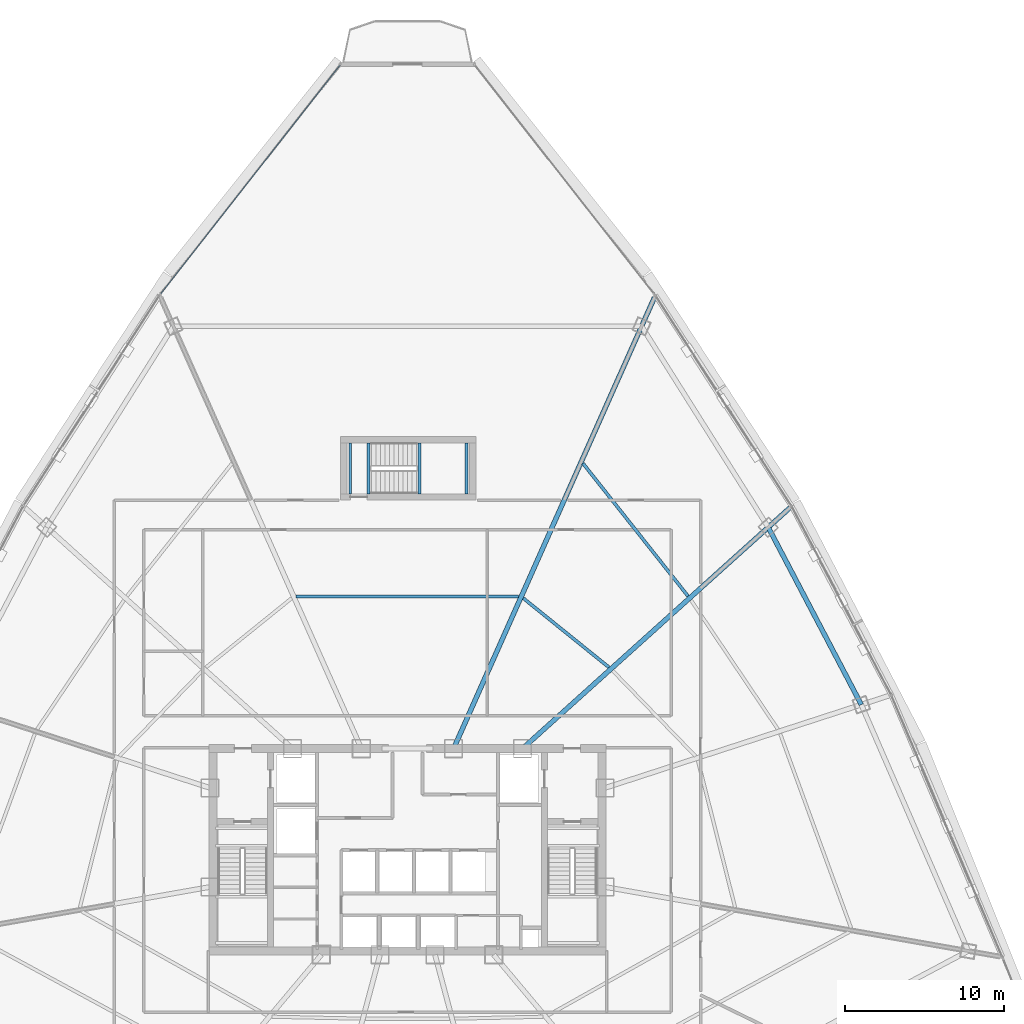
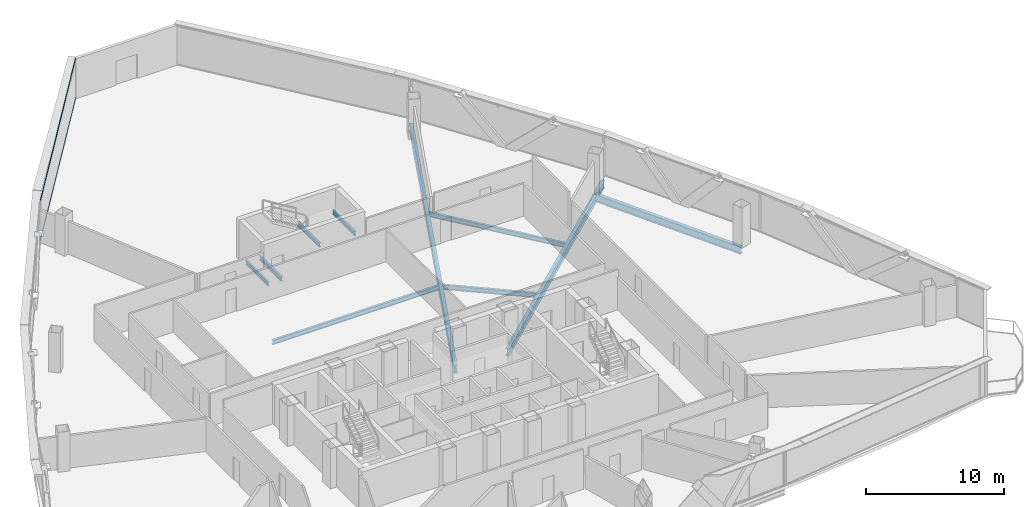
# One storey, part 19 of 37: 10 beams, 2 members, 1 element without a shape of its own.
"""IFC4 building model written with IfcOpenShell, lengths in metres."""

from ifc_helpers import new_model, si_unit, direction, frame, origin, origin_2d, place, context, subcontext, project, spatial, hollow_rectangle, i_section, extrude, source, transform, mapped, material, layer, layer_set, material_profile, profile_set, type_object, element, aggregate, save


model = new_model("IFC4")

# Units and contexts
model_context = context("Model", 3, precision=1e-05, world=origin(), true_north=direction((0.0, 1.0)))
body_context = subcontext(model_context, "Body", "Model", "MODEL_VIEW")
ifc_project = project(units=[si_unit("LENGTHUNIT", "METRE"), si_unit("AREAUNIT", "SQUARE_METRE"), si_unit("VOLUMEUNIT", "CUBIC_METRE"), si_unit("PLANEANGLEUNIT", "RADIAN"), si_unit("MASSUNIT", "GRAM", prefix="KILO"), si_unit("THERMODYNAMICTEMPERATUREUNIT", "KELVIN"), si_unit("POWERUNIT", "WATT")], contexts=[model_context])

# Site, building, storey
site_placement = place(None, origin())
site = spatial("IfcSite", under=ifc_project, at=site_placement, CompositionType="ELEMENT")
building_placement = place(site_placement, origin())
building = spatial("IfcBuilding", under=site, at=building_placement, Name="Yunzhuo Pagoda Commons", CompositionType="ELEMENT")
storey_placement = place(building_placement, frame((0.0, 0.0, 199.9599609375)))
storey = spatial("IfcBuildingStorey", under=building, at=storey_placement, Name="L50", CompositionType="ELEMENT", Elevation=199.9599609375)

# Beams
ifc_material_1 = material(Name="Structural steel Q355B", Category="steel")
ifc_material_profile_1 = material_profile(ifc_material_1, i_section(OverallWidth=0.175048828125, OverallDepth=0.35009765625, WebThickness=0.007080078125, FlangeThickness=0.010986328125, at=origin_2d()), Name="Structural steel Q355B")
ifc_profile_set_1 = profile_set([ifc_material_profile_1], Name="Structural steel Q355B")
beam_type_1 = type_object("IfcBeamType", Name="B-JS2 Joist HN 350x175x7x11", PredefinedType="JOIST", material=ifc_profile_set_1)
shared_shape_1 = source(origin(), body_context, "Body", "SweptSolid", [
    extrude(i_section(OverallWidth=0.175048828125, OverallDepth=0.35009765625, WebThickness=0.007080078125, FlangeThickness=0.010986328125, at=origin_2d()), origin(), (0.0, 0.0, 1.0), 3.199951171875),
])
for number, where, z_axis, x_axis, name in (
    (1, (48.75, 56.199951171875, 1.525146484375), (0.0, 1.0, 0.0), (-1.0, 0.0, 0.0), "L50 ST3 landing support beam 56A"),
    (2, (51.699951171875, 56.199951171875, 1.525146484375), (0.0, 1.0, 0.0), (-1.0, 0.0, 0.0), "L50 ST3 landing support beam 56B"),
    (3, (44.39990234375, 56.199951171875, -0.375), (0.0, 1.0, 0.0), (-1.0, 0.0, 0.0), "L50 ST3 landing support beam 124A"),
    (4, (45.550048828125, 56.199951171875, -0.375), (0.0, 1.0, 0.0), (-1.0, 0.0, 0.0), "L50 ST3 landing support beam 124B"),
):
    element("IfcBeam", number, at=place(storey_placement, frame(where, z_axis=z_axis, x_axis=x_axis)), inside=storey, type_object=beam_type_1, Name=name, PredefinedType="JOIST", context=body_context, shape_type="MappedRepresentation", body=[
        mapped(shared_shape_1, transform((0.0, 0.0, 0.0), scale=1.0)),
    ])
ifc_material_profile_2 = material_profile(ifc_material_1, i_section(OverallWidth=0.300048828125, OverallDepth=0.64990234375, WebThickness=0.012939453125, FlangeThickness=0.02197265625, at=origin_2d()), Name="Structural steel Q355B")
ifc_profile_set_2 = profile_set([ifc_material_profile_2], Name="Structural steel Q355B")
beam_type_2 = type_object("IfcBeamType", Name="B-RG2 Beam HN 650x300x13x22", PredefinedType="BEAM", material=ifc_profile_set_2)
shared_shape_2 = source(origin(), body_context, "Body", "SweptSolid", [
    extrude(i_section(OverallWidth=0.300048828125, OverallDepth=0.64990234375, WebThickness=0.012939453125, FlangeThickness=0.02197265625, at=origin_2d()), origin(), (0.0, 0.0, 1.0), 12.576416015625),
])
beam_1_placement = place(storey_placement, frame((76.49462890625, 42.95849609375, -0.5849609375), z_axis=(-0.464676385233, 0.885480579689, 0.0), x_axis=(-0.885480579689, -0.464676385233, 0.0)))
element("IfcBeam", 5, at=beam_1_placement, inside=storey, type_object=beam_type_2, Name="L50 column-ring beam 6", PredefinedType="BEAM", context=body_context, shape_type="MappedRepresentation", body=[
    mapped(shared_shape_2, transform((0.0, 0.0, 0.0), scale=1.0)),
])
ifc_material_profile_3 = material_profile(ifc_material_1, i_section(OverallWidth=0.199951171875, OverallDepth=0.39990234375, WebThickness=0.008056640625, FlangeThickness=0.012939453125, at=origin_2d()), Name="Structural steel Q355B")
ifc_profile_set_3 = profile_set([ifc_material_profile_3], Name="Structural steel Q355B")
beam_type_3 = type_object("IfcBeamType", Name="B-JS1 Joist HN 400x200x8x13", PredefinedType="JOIST", material=ifc_profile_set_3)
shared_shape_3 = source(origin(), body_context, "Body", "SweptSolid", [
    extrude(i_section(OverallWidth=0.199951171875, OverallDepth=0.39990234375, WebThickness=0.008056640625, FlangeThickness=0.012939453125, at=origin_2d()), origin(), (0.0, 0.0, 1.0), 6.916748046875),
])
beam_2_placement = place(storey_placement, frame((60.650634765625, 45.302001953125, -0.4599609375), z_axis=(-0.778265575865, 0.627935262127, 0.0), x_axis=(-0.627935262127, -0.778265575865, 0.0)))
element("IfcBeam", 6, at=beam_2_placement, inside=storey, type_object=beam_type_3, Name="L50 composite ring joist 1.7", PredefinedType="JOIST", context=body_context, shape_type="MappedRepresentation", body=[
    mapped(shared_shape_3, transform((0.0, 0.0, 0.0), scale=1.0)),
])
shared_shape_4 = source(origin(), body_context, "Body", "SweptSolid", [
    extrude(i_section(OverallWidth=0.199951171875, OverallDepth=0.39990234375, WebThickness=0.008056640625, FlangeThickness=0.012939453125, at=origin_2d()), origin(), (0.0, 0.0, 1.0), 10.62548828125),
])
beam_3_placement = place(storey_placement, frame((65.614013671875, 49.773193359375, -0.4599609375), z_axis=(-0.620561688531, 0.784157631301, 0.0), x_axis=(-0.784157631301, -0.620561688531, 0.0)))
element("IfcBeam", 7, at=beam_3_placement, inside=storey, type_object=beam_type_3, Name="L50 composite ring joist 2.7", PredefinedType="JOIST", context=body_context, shape_type="MappedRepresentation", body=[
    mapped(shared_shape_4, transform((0.0, 0.0, 0.0), scale=1.0)),
])
shared_shape_5 = source(origin(), body_context, "Body", "SweptSolid", [
    extrude(i_section(OverallWidth=0.199951171875, OverallDepth=0.39990234375, WebThickness=0.008056640625, FlangeThickness=0.012939453125, at=origin_2d()), origin(), (0.0, 0.0, 1.0), 13.9697265625),
])
beam_4_placement = place(storey_placement, frame((54.98486328125, 49.7451171875, -0.4599609375), z_axis=(-1.0, 0.0, 0.0), x_axis=(0.0, -1.0, 0.0)))
element("IfcBeam", 8, at=beam_4_placement, inside=storey, type_object=beam_type_3, Name="L50 composite ring joist 1.8", PredefinedType="JOIST", context=body_context, shape_type="MappedRepresentation", body=[
    mapped(shared_shape_5, transform((0.0, 0.0, 0.0), scale=1.0)),
])
shared_shape_6 = source(origin(), body_context, "Body", "SweptSolid", [
    extrude(i_section(OverallWidth=0.300048828125, OverallDepth=0.64990234375, WebThickness=0.012939453125, FlangeThickness=0.02197265625, at=origin_2d()), origin(), (0.0, 0.0, 1.0), 22.59326171875),
])
beam_5_placement = place(storey_placement, frame((72.009033203125, 55.31787109375, -0.5849609375), z_axis=(-0.743142605929, -0.669133071409, 0.0), x_axis=(0.669133071409, -0.743142605929, 0.0)))
element("IfcBeam", 9, at=beam_5_placement, inside=storey, type_object=beam_type_2, Name="L50 radial floor girder F2C3", PredefinedType="BEAM", context=body_context, shape_type="MappedRepresentation", body=[
    mapped(shared_shape_6, transform((0.0, 0.0, 0.0), scale=1.0)),
])
shared_shape_7 = source(origin(), body_context, "Body", "SweptSolid", [
    extrude(i_section(OverallWidth=0.300048828125, OverallDepth=0.64990234375, WebThickness=0.012939453125, FlangeThickness=0.02197265625, at=origin_2d()), origin(), (0.0, 0.0, 1.0), 30.999267578125),
])
beam_6_placement = place(storey_placement, frame((63.50244140625, 68.519287109375, -0.5849609375), z_axis=(-0.406731735964, -0.913547642414, 0.0), x_axis=(0.913547642414, -0.406731735964, 0.0)))
element("IfcBeam", 10, at=beam_6_placement, inside=storey, type_object=beam_type_2, Name="L50 radial floor girder F2C4", PredefinedType="BEAM", context=body_context, shape_type="MappedRepresentation", body=[
    mapped(shared_shape_7, transform((0.0, 0.0, 0.0), scale=1.0)),
])

# Curtain wall, members
ifc_material_2 = material(Name="Anodized aluminium 6063-T6", Category="aluminium")
ifc_layer = layer(ifc_material_2, 0.14990234375)
ifc_layer_set = layer_set([ifc_layer], Name="Anodized aluminium 6063-T6")
curtain_wall_type = type_object("IfcCurtainWallType", Name="CW-MID Mid-Zone Ribbon Curtain Wall", PredefinedType="NOTDEFINED", material=ifc_layer_set)
curtain_wall_placement = place(storey_placement, origin())
curtain_wall = element("IfcCurtainWall", 11, at=curtain_wall_placement, inside=storey, type_object=curtain_wall_type, Name="L50 curtain wall CW-L50-F3B1", PredefinedType="NOTDEFINED")
ifc_material_profile_4 = material_profile(ifc_material_2, hollow_rectangle(XDim=0.054931640625, YDim=0.1298828125, WallThickness=0.00341796875, at=origin_2d()), Name="Anodized aluminium 6063-T6")
ifc_profile_set_4 = profile_set([ifc_material_profile_4], Name="Anodized aluminium 6063-T6")
member_type = type_object("IfcMemberType", Name="CW-MID-T Transom RHS 130x55x3.5", PredefinedType="USERDEFINED", material=ifc_profile_set_4)
shared_shape_8 = source(origin(), body_context, "Body", "SweptSolid", [
    extrude(hollow_rectangle(XDim=0.054931640625, YDim=0.1298828125, WallThickness=0.00341796875, at=origin_2d()), origin(), (0.0, 0.0, 1.0), 18.23681640625),
])
member_1_placement = place(storey_placement, frame((43.767822265625, 83.120361328125, 0.027587890625), z_axis=(-0.616886369969, -0.78705222606, 0.0), x_axis=(0.78705222606, -0.616886369969, 0.0)))
member_1 = element("IfcMember", 12, at=member_1_placement, type_object=member_type, Name="CW transom 1.1", ObjectType="TRANSOM", PredefinedType="USERDEFINED", context=body_context, shape_type="MappedRepresentation", body=[
    mapped(shared_shape_8, transform((0.0, 0.0, 0.0), scale=1.0)),
])
member_2_placement = place(storey_placement, frame((43.767822265625, 83.120361328125, 3.512451171875), z_axis=(-0.616886369969, -0.78705222606, 0.0), x_axis=(0.78705222606, -0.616886369969, 0.0)))
member_2 = element("IfcMember", 13, at=member_2_placement, type_object=member_type, Name="CW transom 1.2", ObjectType="TRANSOM", PredefinedType="USERDEFINED", context=body_context, shape_type="MappedRepresentation", body=[
    mapped(shared_shape_8, transform((0.0, 0.0, 0.0), scale=1.0)),
])
aggregate(curtain_wall, [member_1, member_2])

save(model, "model.ifc")
